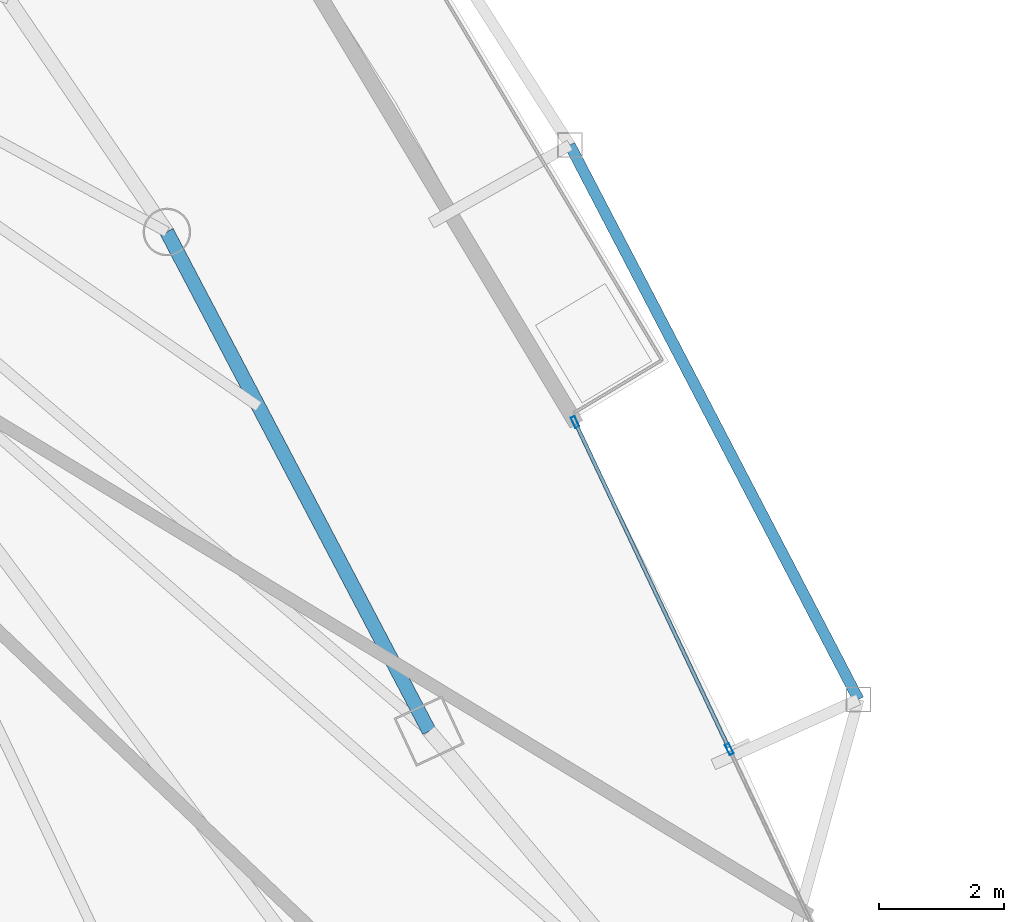
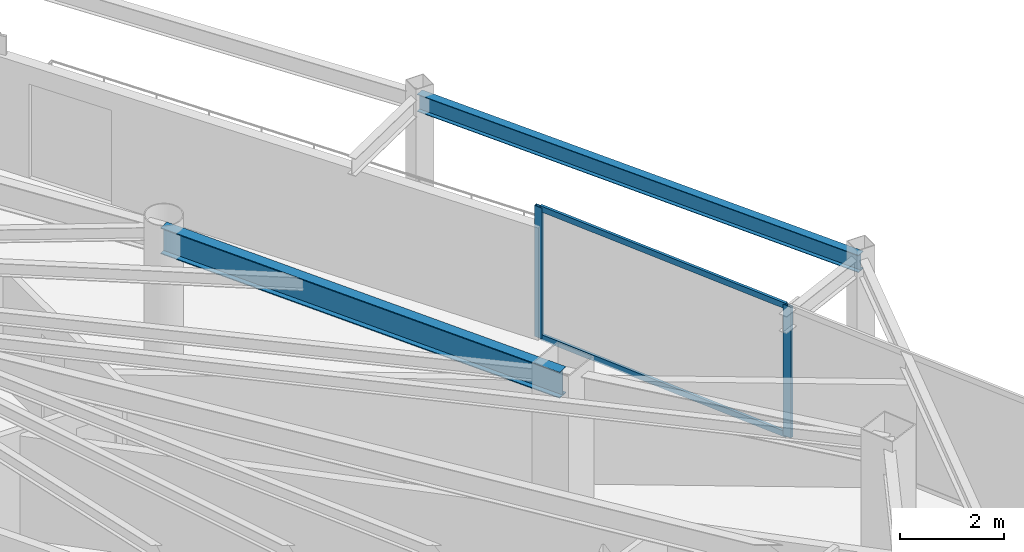
# One storey, part 15 of 31: 4 members, 2 beams, 1 element without a shape of its own.
"""IFC4 building model written with IfcOpenShell, lengths in metres."""

import ifcopenshell
import ifcopenshell.guid

model = None  # the IFC model being written
_history = None  # IfcOwnerHistory: only IFC2X3 demands one
_inside = {}  # id of a spatial element -> (the spatial element, [elements in it])
_under = {}  # id of a project, library or spatial element -> (it, [spatial elements below it])
_declared = {}  # id of a project -> (the project, [libraries it declares])
_typed = {}  # id of a type object -> (the type object, [elements of that type])
_made_of = {}  # id of a material, layer set ... -> (it, [elements and type objects made of it])


def new_model(schema):
    """Start an empty IFC model of exactly this schema.

    Asked for "IFC4X3", IfcOpenShell would pick the latest addendum, in which some entities
    have other attributes; the version numbers below select the first issue.
    IFC2X3 requires an IfcOwnerHistory on every rooted entity: one is made here for all.
    """
    global model, _history
    if schema == "IFC4X3":
        model = ifcopenshell.file(schema_version=(4, 3, 0, 0))
    else:
        model = ifcopenshell.file(schema=schema)
    _inside.clear()
    _under.clear()
    _declared.clear()
    _typed.clear()
    _made_of.clear()
    _history = None
    if model.schema == "IFC2X3":
        org = make("IfcOrganization", Name="unknown")
        user = make(
            "IfcPersonAndOrganization",
            ThePerson=make("IfcPerson", FamilyName="unknown"),
            TheOrganization=org,
        )
        app = make(
            "IfcApplication",
            ApplicationDeveloper=org,
            Version="unknown",
            ApplicationFullName="unknown",
            ApplicationIdentifier="unknown",
        )
        _history = make(
            "IfcOwnerHistory",
            OwningUser=user,
            OwningApplication=app,
            ChangeAction="ADDED",
            CreationDate=0,
        )
    return model


def make(cls, **values):
    """One entity of the class cls with the attributes given. An attribute that is None is left unset."""
    return model.create_entity(
        cls, **{name: value for name, value in values.items() if value is not None}
    )


def rooted(cls, **values):
    """An entity with a GlobalId (a new one), such as an element, a storey or a relation."""
    return make(cls, GlobalId=ifcopenshell.guid.new(), OwnerHistory=_history, **values)


def si_unit(unit_type, name, prefix=None):
    """IfcSIUnit, for example si_unit("LENGTHUNIT", "METRE", prefix="MILLI")."""
    return make("IfcSIUnit", UnitType=unit_type, Prefix=prefix, Name=name)


def assignment(units):
    """IfcUnitAssignment: the units of a project."""
    return None if units is None else make("IfcUnitAssignment", Units=units)


def point(xyz):
    """IfcCartesianPoint."""
    return None if xyz is None else make("IfcCartesianPoint", Coordinates=xyz)


def direction(xyz):
    """IfcDirection."""
    return None if xyz is None else make("IfcDirection", DirectionRatios=xyz)


def frame(location, z_axis=None, x_axis=None):
    """IfcAxis2Placement3D, a coordinate frame: its origin and axes. An axis left out is left unset."""
    return make(
        "IfcAxis2Placement3D",
        Location=point(location),
        Axis=direction(z_axis),
        RefDirection=direction(x_axis),
    )


def frame_2d(location, x_axis=None):
    """IfcAxis2Placement2D, a coordinate frame in the plane: its origin and x axis."""
    return make(
        "IfcAxis2Placement2D", Location=point(location), RefDirection=direction(x_axis)
    )


def origin():
    """The frame at (0, 0, 0) with its axes left unset."""
    return frame((0.0, 0.0, 0.0))


def origin_2d():
    """The frame at (0, 0) in the plane with its x axis left unset."""
    return frame_2d((0.0, 0.0))


def place(relative_to, where):
    """IfcLocalPlacement: puts the frame where relative to a parent placement (None: the world)."""
    return make(
        "IfcLocalPlacement", PlacementRelTo=relative_to, RelativePlacement=where
    )


def context(
    kind, dimensions, precision=None, world=None, true_north=None, identifier=None
):
    """IfcGeometricRepresentationContext, for example the 3D "Model" context."""
    return make(
        "IfcGeometricRepresentationContext",
        ContextIdentifier=identifier,
        ContextType=kind,
        CoordinateSpaceDimension=dimensions,
        Precision=precision,
        WorldCoordinateSystem=world,
        TrueNorth=true_north,
    )


def subcontext(parent, identifier, kind, view, scale=None):
    """IfcGeometricRepresentationSubContext, for example "Body" below "Model"."""
    return make(
        "IfcGeometricRepresentationSubContext",
        ContextIdentifier=identifier,
        ContextType=kind,
        ParentContext=parent,
        TargetScale=scale,
        TargetView=view,
    )


def project(units=None, contexts=None):
    """IfcProject with its units and contexts."""
    return rooted(
        "IfcProject",
        Name="project",
        RepresentationContexts=contexts,
        UnitsInContext=assignment(units),
    )


def spatial(cls, under=None, at=None, **own):
    """A site, building, storey or space (cls), placed at a placement, below another one or the project."""
    s = rooted(cls, ObjectPlacement=at, **own)
    if under is not None:
        _under.setdefault(under.id(), (under, []))[1].append(s)
    return s


def profile(cls, at=None, kind="AREA", **sizes):
    """A parametric profile (cls). Its sizes go by their IFC names, for example OverallWidth=200.0."""
    return make(cls, ProfileType=kind, Position=at, **sizes)


def hollow_rectangle(**sizes):
    """IfcRectangleHollowProfileDef."""
    return profile("IfcRectangleHollowProfileDef", **sizes)


def i_section(**sizes):
    """IfcIShapeProfileDef."""
    return profile("IfcIShapeProfileDef", **sizes)


def extrude(swept, where, along, depth):
    """IfcExtrudedAreaSolid: the profile swept, set in the frame where, extruded along a direction by depth."""
    return make(
        "IfcExtrudedAreaSolid",
        SweptArea=swept,
        Position=where,
        ExtrudedDirection=direction(along),
        Depth=depth,
    )


def shape(context_of_items, identifier, shape_type, items):
    """IfcShapeRepresentation: the items that make up one representation, for example the "Body"."""
    return make(
        "IfcShapeRepresentation",
        ContextOfItems=context_of_items,
        RepresentationIdentifier=identifier,
        RepresentationType=shape_type,
        Items=items,
    )


def material(Name=None, Category=None):
    """IfcMaterial."""
    return make("IfcMaterial", Name=Name, Category=Category)


def layer(
    of_material, thickness, ventilated=None, Name=None, Category=None, Priority=None
):
    """IfcMaterialLayer: one layer of a wall or slab, of a material (None: an air gap)."""
    return make(
        "IfcMaterialLayer",
        Material=of_material,
        LayerThickness=thickness,
        IsVentilated=ventilated,
        Name=Name,
        Category=Category,
        Priority=Priority,
    )


def layer_set(layers, Name=None):
    """IfcMaterialLayerSet."""
    return make("IfcMaterialLayerSet", MaterialLayers=layers, LayerSetName=Name)


def material_profile(
    of_material, cross_section, Name=None, Category=None, Priority=None
):
    """IfcMaterialProfile: a cross section and its material."""
    return make(
        "IfcMaterialProfile",
        Name=Name,
        Material=of_material,
        Profile=cross_section,
        Priority=Priority,
        Category=Category,
    )


def profile_set(profiles, Name=None, composite=None):
    """IfcMaterialProfileSet."""
    return make(
        "IfcMaterialProfileSet",
        Name=Name,
        MaterialProfiles=profiles,
        CompositeProfile=composite,
    )


def made_of(thing, what):
    """Note that an element or type object is made of a material, layer set ...; save() writes the relation."""
    if what is not None:
        _made_of.setdefault(what.id(), (what, []))[1].append(thing)
    return thing


def type_object(cls, material=None, **own):
    """A type object (cls), such as IfcWallType, which elements share."""
    return made_of(rooted(cls, **own), material)


def element(
    cls,
    number,
    at=None,
    inside=None,
    cuts=None,
    type_object=None,
    material=None,
    context=None,
    identifier="Body",
    shape_type=None,
    held_by="IfcProductDefinitionShape",
    body=None,
    shapes=None,
    **own,
):
    """One element of the class cls, such as IfcWall. Its Tag is "e" and its number.

    at: its placement. inside: the storey or other place that contains it. cuts: it is an
    opening in that element (IfcRelVoidsElement). A single representation is given by context,
    identifier, shape_type and body (its items); several are given by shapes. held_by: the class
    of the entity that holds the representations. save() writes the other relations.
    """
    e = rooted(cls, Tag="e%d" % number, ObjectPlacement=at, **own)
    if body is not None:
        shapes = [shape(context, identifier, shape_type, body)]
    if shapes is not None:
        e.Representation = make(held_by, Representations=shapes)
    if inside is not None:
        _inside.setdefault(inside.id(), (inside, []))[1].append(e)
    if cuts is not None:
        rooted(
            "IfcRelVoidsElement", RelatingBuildingElement=cuts, RelatedOpeningElement=e
        )
    if type_object is not None:
        _typed.setdefault(type_object.id(), (type_object, []))[1].append(e)
    return made_of(e, material)


def aggregate(whole, parts):
    """IfcRelAggregates: a whole, such as a stair, and the parts it consists of."""
    return rooted("IfcRelAggregates", RelatingObject=whole, RelatedObjects=parts)


def save(model, path):
    """Write the relations noted so far, then the file.

    IfcRelAggregates (storeys below a building ...), IfcRelContainedInSpatialStructure (elements
    in a storey), IfcRelDefinesByType, IfcRelAssociatesMaterial and IfcRelDeclares: one each for
    every whole, place, type object, material and project.
    """
    for whole, parts in _under.values():
        aggregate(whole, parts)
    for where, things in _inside.values():
        rooted(
            "IfcRelContainedInSpatialStructure",
            RelatedElements=things,
            RelatingStructure=where,
        )
    for kind, things in _typed.values():
        rooted("IfcRelDefinesByType", RelatedObjects=things, RelatingType=kind)
    for what, things in _made_of.values():
        rooted("IfcRelAssociatesMaterial", RelatedObjects=things, RelatingMaterial=what)
    for by, libraries in _declared.values():
        rooted("IfcRelDeclares", RelatingContext=by, RelatedDefinitions=libraries)
    model.write(path)


model = new_model("IFC4")

# Units and contexts
model_context = context("Model", 3, precision=1e-05, world=origin(), true_north=direction((0.0, 1.0)))
body_context = subcontext(model_context, "Body", "Model", "MODEL_VIEW")
ifc_project = project(units=[si_unit("LENGTHUNIT", "METRE"), si_unit("AREAUNIT", "SQUARE_METRE"), si_unit("VOLUMEUNIT", "CUBIC_METRE"), si_unit("PLANEANGLEUNIT", "RADIAN"), si_unit("MASSUNIT", "GRAM", prefix="KILO")], contexts=[model_context])

# Site, building, storey
site_placement = place(None, origin())
site = spatial("IfcSite", under=ifc_project, at=site_placement, CompositionType="ELEMENT")
building_placement = place(site_placement, origin())
building = spatial("IfcBuilding", under=site, at=building_placement, Name="Orvanel Arch Residences", CompositionType="ELEMENT")
storey_placement = place(building_placement, frame((0.0, 0.0, 106.699951171875)))
storey = spatial("IfcBuildingStorey", under=building, at=storey_placement, Name="L29", CompositionType="ELEMENT", Elevation=106.699951171875)

# Curtain wall, members
ifc_material_1 = material(Name="Bronze-anodised aluminium AA6063-T6", Category="aluminium")
ifc_layer = layer(ifc_material_1, 0.179931640625)
ifc_layer_set = layer_set([ifc_layer], Name="Bronze-anodised aluminium AA6063-T6")
curtain_wall_type = type_object("IfcCurtainWallType", Name="CW3-MID-SYS", PredefinedType="NOTDEFINED", material=ifc_layer_set)
curtain_wall_placement = place(storey_placement, origin())
curtain_wall = element("IfcCurtainWall", 1, at=curtain_wall_placement, inside=storey, type_object=curtain_wall_type, Name="L29 CW3-MID-SYS Unitised Curtain Wall", PredefinedType="NOTDEFINED")
ifc_material_profile_1 = material_profile(ifc_material_1, hollow_rectangle(XDim=0.070068359375, YDim=0.179931640625, WallThickness=0.00439453125, at=origin_2d()), Name="ALU180x70x4.5")
ifc_profile_set_1 = profile_set([ifc_material_profile_1], Name="Bronze-anodised aluminium AA6063-T6")
member_type_1 = type_object("IfcMemberType", Name="MUL-180x70", PredefinedType="MULLION", material=ifc_profile_set_1)
member_1_placement = place(storey_placement, frame((54.444580078125, 19.3515625, 0.0), z_axis=(0.0, 0.0, 1.0), x_axis=(-0.904427848168, -0.42662661363, 0.0)))
member_1 = element("IfcMember", 2, at=member_1_placement, type_object=member_type_1, Name="CW-S3 mullion 2", PredefinedType="MULLION", context=body_context, shape_type="SweptSolid", body=[
    extrude(hollow_rectangle(XDim=0.070068359375, YDim=0.179931640625, WallThickness=0.00439453125, at=origin_2d()), origin(), (0.0, 0.0, 1.0), 3.06005859375),
])
member_2_placement = place(storey_placement, frame((51.970947265625, 24.595458984375, 0.0), z_axis=(0.0, 0.0, 1.0), x_axis=(-0.904427848168, -0.42662661363, 0.0)))
member_2 = element("IfcMember", 3, at=member_2_placement, type_object=member_type_1, Name="CW-S3 mullion 3", PredefinedType="MULLION", context=body_context, shape_type="SweptSolid", body=[
    extrude(hollow_rectangle(XDim=0.070068359375, YDim=0.179931640625, WallThickness=0.00439453125, at=origin_2d()), origin(), (0.0, 0.0, 1.0), 3.06005859375),
])

# Beams
ifc_material_2 = material(Name="Structural steel AS/NZS 3679.1 Grade 300 (300 MPa)", Category="steel")
ifc_material_profile_2 = material_profile(ifc_material_2, i_section(OverallWidth=0.177978515625, OverallDepth=0.406005859375, WebThickness=0.0078125, FlangeThickness=0.0126953125, at=origin_2d()), Name="410UB59.7")
ifc_profile_set_2 = profile_set([ifc_material_profile_2], Name="Structural steel AS/NZS 3679.1 Grade 300 (300 MPa)")
beam_type_1 = type_object("IfcBeamType", Name="OB-410UB-EXT", PredefinedType="SPANDREL", material=ifc_profile_set_2)
beam_1_placement = place(storey_placement, frame((56.513916015625, 20.14892578125, 2.85693359375), z_axis=(-0.461769433081, 0.886999994742, 0.0), x_axis=(-0.886999994742, -0.461769433081, 0.0)))
element("IfcBeam", 4, at=beam_1_placement, inside=storey, type_object=beam_type_1, Name="L29 Outer Perimeter Floor Ring Beam 09", PredefinedType="SPANDREL", context=body_context, shape_type="SweptSolid", body=[
    extrude(i_section(OverallWidth=0.177978515625, OverallDepth=0.406005859375, WebThickness=0.0078125, FlangeThickness=0.0126953125, at=origin_2d()), origin(), (0.0, 0.0, 1.0), 10.015869140625),
])
ifc_material_profile_3 = material_profile(ifc_material_2, i_section(OverallWidth=0.22900390625, OverallDepth=0.612060546875, WebThickness=0.011962890625, FlangeThickness=0.01953125, at=origin_2d()), Name="610UB125")
ifc_profile_set_3 = profile_set([ifc_material_profile_3], Name="Structural steel AS/NZS 3679.1 Grade 300 (300 MPa)")
beam_type_2 = type_object("IfcBeamType", Name="SP-610UB", PredefinedType="SPANDREL", material=ifc_profile_set_3)
beam_2_placement = place(storey_placement, frame((49.633056640625, 19.64208984375, 2.754150390625), z_axis=(-0.465064762793, 0.885276660942, 0.0), x_axis=(-0.885276660942, -0.465064762793, 0.0)))
element("IfcBeam", 5, at=beam_2_placement, inside=storey, type_object=beam_type_2, Name="L29 Perimeter Spandrel Beam 11", PredefinedType="SPANDREL", context=body_context, shape_type="SweptSolid", body=[
    extrude(i_section(OverallWidth=0.22900390625, OverallDepth=0.612060546875, WebThickness=0.011962890625, FlangeThickness=0.01953125, at=origin_2d()), origin(), (0.0, 0.0, 1.0), 9.03564453125),
])

# Member
ifc_material_profile_4 = material_profile(ifc_material_1, hollow_rectangle(XDim=0.06005859375, YDim=0.135009765625, WallThickness=0.00390625, at=origin_2d()), Name="ALU135x60x4")
ifc_profile_set_4 = profile_set([ifc_material_profile_4], Name="Bronze-anodised aluminium AA6063-T6")
member_type_2 = type_object("IfcMemberType", Name="TRN-135x60", PredefinedType="USERDEFINED", material=ifc_profile_set_4)
member_3_placement = place(storey_placement, frame((54.4296875, 19.383056640625, 0.030029296875), z_axis=(-0.426638409956, 0.904422283643, 0.0), x_axis=(-0.904422283643, -0.426638409956, 0.0)))
member_3 = element("IfcMember", 6, at=member_3_placement, type_object=member_type_2, Name="CW-S3 transom 2.1", ObjectType="TRANSOM", PredefinedType="USERDEFINED", context=body_context, shape_type="SweptSolid", body=[
    extrude(hollow_rectangle(XDim=0.06005859375, YDim=0.135009765625, WallThickness=0.00390625, at=origin_2d()), origin(), (0.0, 0.0, 1.0), 5.72802734375),
])

member_4_placement = place(storey_placement, frame((54.4296875, 19.383056640625, 3.030029296875), z_axis=(-0.426638409956, 0.904422283643, 0.0), x_axis=(-0.904422283643, -0.426638409956, 0.0)))
member_4 = element("IfcMember", 7, at=member_4_placement, type_object=member_type_2, Name="CW-S3 transom 2.2", ObjectType="TRANSOM", PredefinedType="USERDEFINED", context=body_context, shape_type="SweptSolid", body=[
    extrude(hollow_rectangle(XDim=0.06005859375, YDim=0.135009765625, WallThickness=0.00390625, at=origin_2d()), origin(), (0.0, 0.0, 1.0), 5.72802734375),
])

aggregate(curtain_wall, [member_1, member_2, member_3, member_4])

save(model, "model.ifc")
